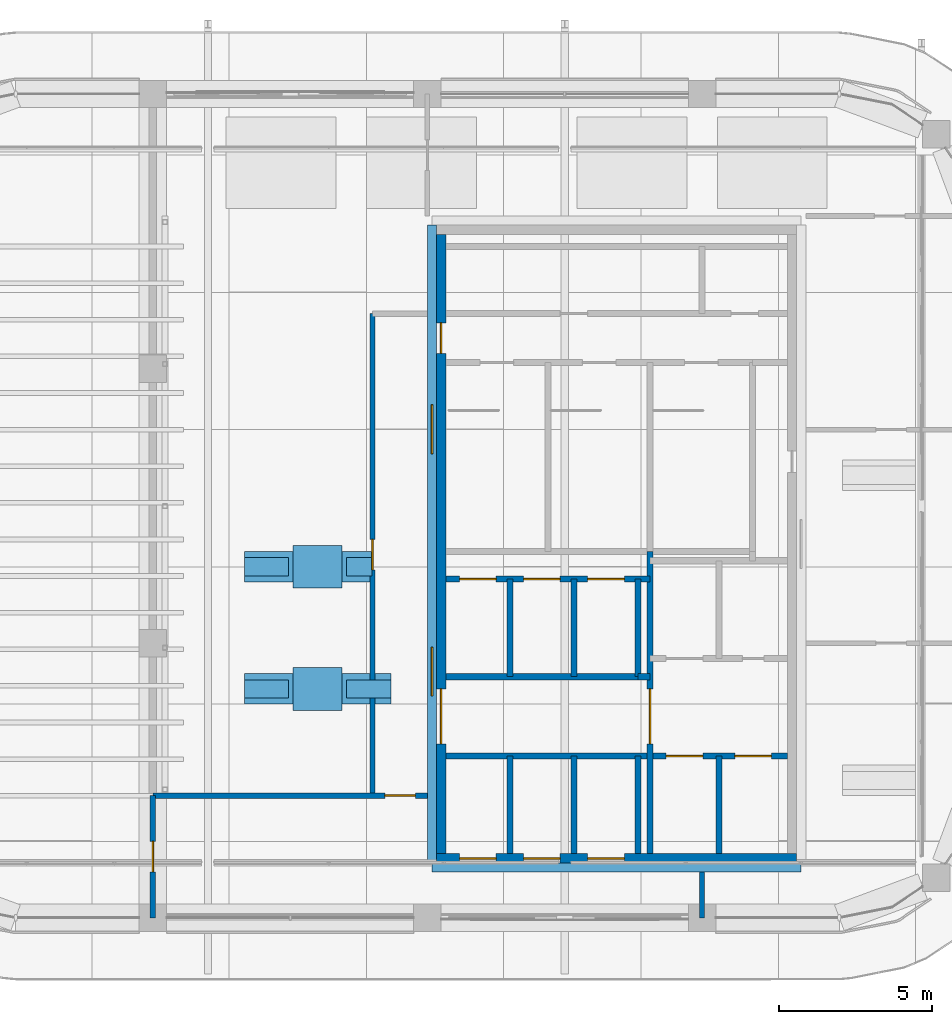
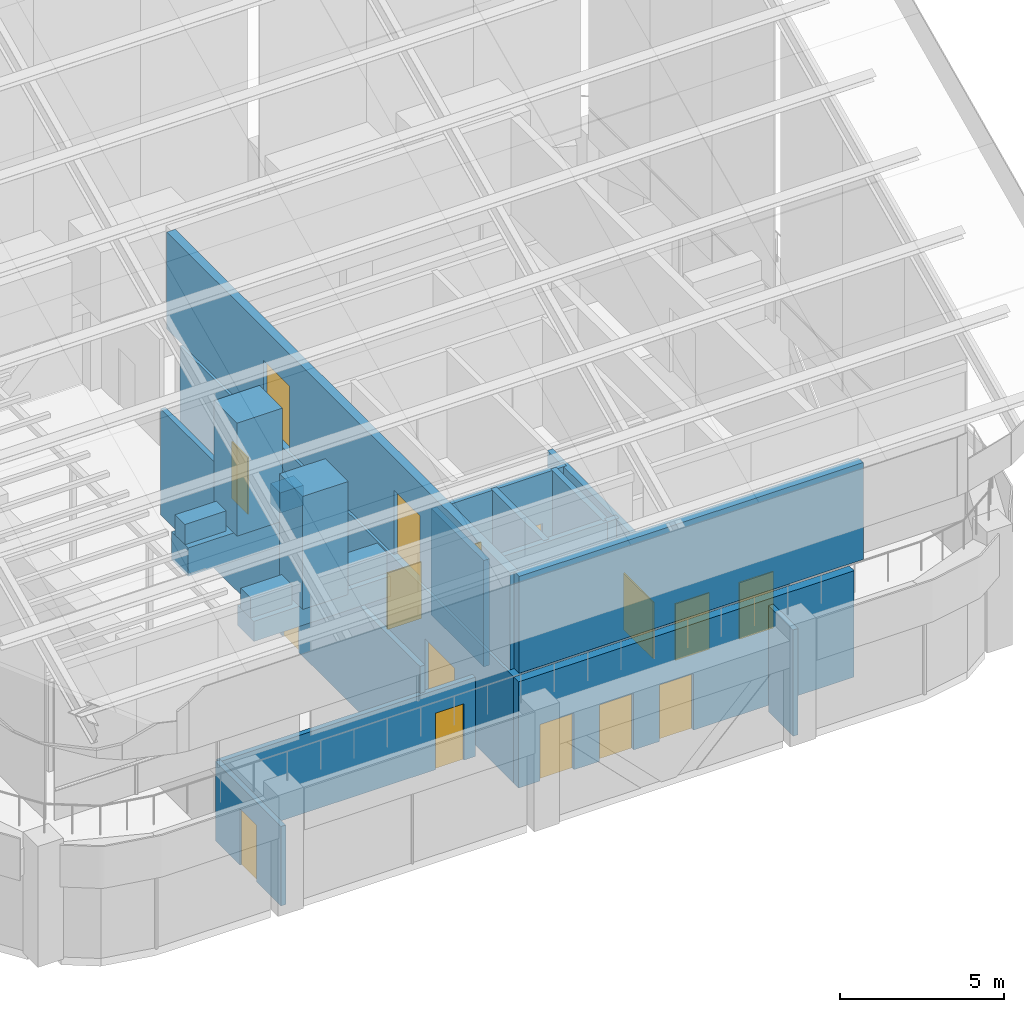
# One storey, part 26 of 31: 28 walls, 16 doors, 16 openings.
"""IFC4 building model written with IfcOpenShell, lengths in metres."""

from ifc_helpers import new_model, si_unit, direction, frame, frame_2d, origin, place, context, subcontext, project, spatial, rectangle, extrude, material, layer, layer_set, type_object, element, fill, save


model = new_model("IFC4")

# Units and contexts
model_context = context("Model", 3, precision=1e-05, world=origin(), true_north=direction((0.0, 1.0)))
body_context = subcontext(model_context, "Body", "Model", "MODEL_VIEW")
ifc_project = project(units=[si_unit("LENGTHUNIT", "METRE"), si_unit("AREAUNIT", "SQUARE_METRE"), si_unit("VOLUMEUNIT", "CUBIC_METRE"), si_unit("PLANEANGLEUNIT", "RADIAN"), si_unit("MASSUNIT", "GRAM", prefix="KILO")], contexts=[model_context])

# Site, building, storey
site_placement = place(None, origin())
site = spatial("IfcSite", under=ifc_project, at=site_placement, CompositionType="ELEMENT")
building_placement = place(site_placement, origin())
building = spatial("IfcBuilding", under=site, at=building_placement, Name="Tessera Arch", CompositionType="ELEMENT")
storey_placement = place(building_placement, frame((0.0, 0.0, 320.699951171875)))
storey = spatial("IfcBuildingStorey", under=building, at=storey_placement, Name="L77", CompositionType="ELEMENT", Elevation=320.699951171875)

# Wall
ifc_material_1 = material(Name="Gypsum board on steel stud", Category="steel")
ifc_layer_1 = layer(ifc_material_1, 0.125)
ifc_layer_set_1 = layer_set([ifc_layer_1], Name="Core partition 125 EI 60")
wall_type_1 = type_object("IfcWallType", Name="Core partition 125 EI 60", PredefinedType="PARTITIONING", material=ifc_layer_set_1)
wall_1_placement = place(storey_placement, frame((42.89990234375, 34.89990234375, 0.0), z_axis=(0.0, 0.0, 1.0), x_axis=(1.0, 0.0, 0.0)))
element("IfcWall", 1, at=wall_1_placement, inside=storey, type_object=wall_type_1, Name="L77 C1 partition wall 16", PredefinedType="PARTITIONING", context=body_context, shape_type="SweptSolid", body=[
    extrude(rectangle(XDim=0.400146484375, YDim=0.199951171875, at=frame_2d((0.2001953125, 0.0))), origin(), (0.0, 0.0, 1.0), 3.949951171875),
])

# Wall, openings, doors
ifc_material_2 = material(Name="Concrete C50/60", Category="concrete")
ifc_layer_2 = layer(ifc_material_2, 0.300048828125)
ifc_layer_set_2 = layer_set([ifc_layer_2], Name="Core shell wall 300 C50-60")
wall_type_2 = type_object("IfcWallType", Name="Core shell wall 300 C50-60", PredefinedType="SHEAR", material=ifc_layer_set_2)
wall_2_placement = place(storey_placement, frame((36.300048828125, 28.949951171875, 0.0), z_axis=(0.0, 0.0, 1.0), x_axis=(1.0, 0.0, 0.0)))
wall_2 = element("IfcWall", 2, at=wall_2_placement, inside=storey, type_object=wall_type_2, Name="L77 C1 core wall S", PredefinedType="SHEAR", context=body_context, shape_type="SweptSolid", body=[
    extrude(rectangle(XDim=11.800048828125, YDim=0.300048828125, at=frame_2d((5.89990234375, 0.0))), origin(), (0.0, 0.0, 1.0), 3.949951171875),
])
opening_1_placement = place(wall_2_placement, frame((0.75, 0.0, 0.0)))
opening_1 = element("IfcOpeningElement", 3, at=opening_1_placement, cuts=wall_2, Name="Opening L77-C01", PredefinedType="OPENING", context=body_context, shape_type="SweptSolid", body=[
    extrude(rectangle(XDim=1.199951171875, YDim=2.10009765625, at=frame_2d((0.60009765625, 1.050048828125))), frame((0.0, 0.159912109375, 0.0), z_axis=(0.0, -1.0, 0.0), x_axis=(1.0, 0.0, 0.0)), (0.0, 0.0, 1.0), 0.320068359375),
])
opening_2_placement = place(wall_2_placement, frame((2.85009765625, 0.0, 0.0)))
opening_2 = element("IfcOpeningElement", 4, at=opening_2_placement, cuts=wall_2, Name="Opening L77-C03", PredefinedType="OPENING", context=body_context, shape_type="SweptSolid", body=[
    extrude(rectangle(XDim=1.199951171875, YDim=2.10009765625, at=frame_2d((0.60009765625, 1.050048828125))), frame((0.0, 0.159912109375, 0.0), z_axis=(0.0, -1.0, 0.0), x_axis=(1.0, 0.0, 0.0)), (0.0, 0.0, 1.0), 0.320068359375),
])
opening_3_placement = place(wall_2_placement, frame((4.949951171875, 0.0, 0.0)))
opening_3 = element("IfcOpeningElement", 5, at=opening_3_placement, cuts=wall_2, Name="Opening L77-C05", PredefinedType="OPENING", context=body_context, shape_type="SweptSolid", body=[
    extrude(rectangle(XDim=1.199951171875, YDim=2.10009765625, at=frame_2d((0.60009765625, 1.050048828125))), frame((0.0, 0.159912109375, 0.0), z_axis=(0.0, -1.0, 0.0), x_axis=(1.0, 0.0, 0.0)), (0.0, 0.0, 1.0), 0.320068359375),
])
ifc_material_3 = material(Name="Stainless steel AISI 304", Category="steel")
door_type_1 = type_object("IfcDoorType", Name="Sliding landing door 1200 x 2100", OperationType="SLIDING_TO_LEFT", PredefinedType="DOOR", material=ifc_material_3)
door_1_placement = place(opening_1_placement, origin())
door_1 = element("IfcDoor", 6, at=door_1_placement, inside=storey, type_object=door_type_1, Name="L77 HR1 lift landing door C01 type LD", OperationType="SLIDING_TO_LEFT", OverallHeight=2.10009765625, OverallWidth=1.199951171875, PredefinedType="DOOR", context=body_context, shape_type="SweptSolid", body=[
    extrude(rectangle(XDim=1.199951171875, YDim=2.10009765625, at=frame_2d((0.60009765625, 1.050048828125))), frame((0.0, 0.02490234375, 0.0), z_axis=(0.0, -1.0, 0.0), x_axis=(1.0, 0.0, 0.0)), (0.0, 0.0, 1.0), 0.050048828125),
])
fill(opening_1, door_1)
door_2_placement = place(opening_2_placement, origin())
door_2 = element("IfcDoor", 7, at=door_2_placement, inside=storey, type_object=door_type_1, Name="L77 HR2 lift landing door C03 type LD", OperationType="SLIDING_TO_LEFT", OverallHeight=2.10009765625, OverallWidth=1.199951171875, PredefinedType="DOOR", context=body_context, shape_type="SweptSolid", body=[
    extrude(rectangle(XDim=1.199951171875, YDim=2.10009765625, at=frame_2d((0.60009765625, 1.050048828125))), frame((0.0, 0.02490234375, 0.0), z_axis=(0.0, -1.0, 0.0), x_axis=(1.0, 0.0, 0.0)), (0.0, 0.0, 1.0), 0.050048828125),
])
fill(opening_2, door_2)
door_3_placement = place(opening_3_placement, origin())
door_3 = element("IfcDoor", 8, at=door_3_placement, inside=storey, type_object=door_type_1, Name="L77 HR3 lift landing door C05 type LD", OperationType="SLIDING_TO_LEFT", OverallHeight=2.10009765625, OverallWidth=1.199951171875, PredefinedType="DOOR", context=body_context, shape_type="SweptSolid", body=[
    extrude(rectangle(XDim=1.199951171875, YDim=2.10009765625, at=frame_2d((0.60009765625, 1.050048828125))), frame((0.0, 0.02490234375, 0.0), z_axis=(0.0, -1.0, 0.0), x_axis=(1.0, 0.0, 0.0)), (0.0, 0.0, 1.0), 0.050048828125),
])
fill(opening_3, door_3)

wall_3_placement = place(storey_placement, frame((36.449951171875, 29.10009765625, 0.0), z_axis=(0.0, 0.0, 1.0), x_axis=(0.0, 1.0, 0.0)))
wall_3 = element("IfcWall", 9, at=wall_3_placement, inside=storey, type_object=wall_type_2, Name="L77 C1 core wall W", PredefinedType="SHEAR", context=body_context, shape_type="SweptSolid", body=[
    extrude(rectangle(XDim=20.2998046875, YDim=0.300048828125, at=frame_2d((10.14990234375, 0.0))), origin(), (0.0, 0.0, 1.0), 3.949951171875),
])
opening_4_placement = place(wall_3_placement, frame((3.60009765625, 0.0, 0.0)))
opening_4 = element("IfcOpeningElement", 10, at=opening_4_placement, cuts=wall_3, Name="Opening L77-C10", PredefinedType="OPENING", context=body_context, shape_type="SweptSolid", body=[
    extrude(rectangle(XDim=1.800048828125, YDim=2.10009765625, at=frame_2d((0.89990234375, 1.050048828125))), frame((0.0, 0.159912109375, 0.0), z_axis=(0.0, -1.0, 0.0), x_axis=(1.0, 0.0, 0.0)), (0.0, 0.0, 1.0), 0.320068359375),
])
opening_5_placement = place(wall_3_placement, frame((16.39990234375, 0.0, 0.0)))
opening_5 = element("IfcOpeningElement", 11, at=opening_5_placement, cuts=wall_3, Name="Opening L77-C17", PredefinedType="OPENING", context=body_context, shape_type="SweptSolid", body=[
    extrude(rectangle(XDim=1.0, YDim=2.10009765625, at=frame_2d((0.5, 1.050048828125))), frame((0.0, 0.159912109375, 0.0), z_axis=(0.0, -1.0, 0.0), x_axis=(1.0, 0.0, 0.0)), (0.0, 0.0, 1.0), 0.320068359375),
])
ifc_material_4 = material(Name="Steel door leaf", Category="steel")
door_type_2 = type_object("IfcDoorType", Name="Corridor door FD60 1000 x 2100", OperationType="SINGLE_SWING_LEFT", PredefinedType="DOOR", material=ifc_material_4)
door_4_placement = place(opening_5_placement, origin())
door_4 = element("IfcDoor", 12, at=door_4_placement, inside=storey, type_object=door_type_2, Name="L77 C1 door 17 C17 type D12", OperationType="SINGLE_SWING_RIGHT", OverallHeight=2.10009765625, OverallWidth=1.0, PredefinedType="DOOR", context=body_context, shape_type="SweptSolid", body=[
    extrude(rectangle(XDim=1.0, YDim=2.10009765625, at=frame_2d((0.5, 1.050048828125))), frame((0.0, 0.02490234375, 0.0), z_axis=(0.0, -1.0, 0.0), x_axis=(1.0, 0.0, 0.0)), (0.0, 0.0, 1.0), 0.050048828125),
])
fill(opening_5, door_4)
ifc_material_5 = material(Name="Glazed steel door leaf", Category="steel")
door_type_3 = type_object("IfcDoorType", Name="Lobby double door FD30S 1800 x 2100", OperationType="DOUBLE_DOOR_SINGLE_SWING", PredefinedType="DOOR", material=ifc_material_5)
door_5_placement = place(opening_4_placement, origin())
door_5 = element("IfcDoor", 13, at=door_5_placement, inside=storey, type_object=door_type_3, Name="L77 C1 door 10 C10 type D06", OperationType="DOUBLE_DOOR_SINGLE_SWING", OverallHeight=2.10009765625, OverallWidth=1.800048828125, PredefinedType="DOOR", context=body_context, shape_type="SweptSolid", body=[
    extrude(rectangle(XDim=1.800048828125, YDim=2.10009765625, at=frame_2d((0.89990234375, 1.050048828125))), frame((0.0, 0.02490234375, 0.0), z_axis=(0.0, -1.0, 0.0), x_axis=(1.0, 0.0, 0.0)), (0.0, 0.0, 1.0), 0.050048828125),
])
fill(opening_4, door_5)

# Wall, opening, door
ifc_material_6 = material(Name="Gypsum board on deep steel stud with mineral wool", Category="steel")
ifc_layer_3 = layer(ifc_material_6, 0.175048828125)
ifc_layer_set_3 = layer_set([ifc_layer_3], Name="Corridor wall 175 EI 60")
wall_type_3 = type_object("IfcWallType", Name="Corridor wall 175 EI 60", PredefinedType="PARTITIONING", material=ifc_layer_set_3)
wall_4_placement = place(storey_placement, frame((27.0, 31.0, 0.0), z_axis=(0.0, 0.0, 1.0), x_axis=(1.0, 0.0, 0.0)))
wall_4 = element("IfcWall", 14, at=wall_4_placement, inside=storey, type_object=wall_type_3, Name="L77 partition 1", PredefinedType="PARTITIONING", context=body_context, shape_type="SweptSolid", body=[
    extrude(rectangle(XDim=9.0, YDim=0.175048828125, at=frame_2d((4.5, 0.0))), origin(), (0.0, 0.0, 1.0), 2.949951171875),
])
opening_6_placement = place(wall_4_placement, frame((7.60009765625, 0.0, 0.0)))
opening_6 = element("IfcOpeningElement", 15, at=opening_6_placement, cuts=wall_4, Name="Opening L77-D001", PredefinedType="OPENING", context=body_context, shape_type="SweptSolid", body=[
    extrude(rectangle(XDim=1.0, YDim=2.10009765625, at=frame_2d((0.5, 1.050048828125))), frame((0.0, 0.097412109375, 0.0), z_axis=(0.0, -1.0, 0.0), x_axis=(1.0, 0.0, 0.0)), (0.0, 0.0, 1.0), 0.195068359375),
])
ifc_material_7 = material(Name="Fire-rated door leaf")
door_type_4 = type_object("IfcDoorType", Name="Entrance door FD30S 1000 x 2100", OperationType="SINGLE_SWING_LEFT", PredefinedType="DOOR", material=ifc_material_7)
door_6_placement = place(opening_6_placement, origin())
door_6 = element("IfcDoor", 16, at=door_6_placement, inside=storey, type_object=door_type_4, Name="L77 door D001 type D03", OperationType="SINGLE_SWING_RIGHT", OverallHeight=2.10009765625, OverallWidth=1.0, PredefinedType="DOOR", context=body_context, shape_type="SweptSolid", body=[
    extrude(rectangle(XDim=1.0, YDim=2.10009765625, at=frame_2d((0.5, 1.050048828125))), frame((0.0, 0.02490234375, 0.0), z_axis=(0.0, -1.0, 0.0), x_axis=(1.0, 0.0, 0.0)), (0.0, 0.0, 1.0), 0.050048828125),
])
fill(opening_6, door_6)

wall_5_placement = place(storey_placement, frame((27.0, 27.0, 0.0), z_axis=(0.0, 0.0, 1.0), x_axis=(0.0, 1.0, 0.0)))
wall_5 = element("IfcWall", 17, at=wall_5_placement, inside=storey, type_object=wall_type_3, Name="L77 partition 3", PredefinedType="PARTITIONING", context=body_context, shape_type="SweptSolid", body=[
    extrude(rectangle(XDim=4.0, YDim=0.175048828125, at=frame_2d((2.0, 0.0))), origin(), (0.0, 0.0, 1.0), 2.949951171875),
])
opening_7_placement = place(wall_5_placement, frame((1.5, 0.0, 0.0)))
opening_7 = element("IfcOpeningElement", 18, at=opening_7_placement, cuts=wall_5, Name="Opening L77-D007", PredefinedType="OPENING", context=body_context, shape_type="SweptSolid", body=[
    extrude(rectangle(XDim=1.0, YDim=2.10009765625, at=frame_2d((0.5, 1.050048828125))), frame((0.0, 0.097412109375, 0.0), z_axis=(0.0, -1.0, 0.0), x_axis=(1.0, 0.0, 0.0)), (0.0, 0.0, 1.0), 0.195068359375),
])
ifc_material_8 = material(Name="Fire-rated door leaf")
door_type_5 = type_object("IfcDoorType", Name="Entrance door FD60 1000 x 2100", OperationType="SINGLE_SWING_LEFT", PredefinedType="DOOR", material=ifc_material_8)
door_7_placement = place(opening_7_placement, origin())
door_7 = element("IfcDoor", 19, at=door_7_placement, inside=storey, type_object=door_type_5, Name="L77 door D007 type D16", OperationType="SINGLE_SWING_RIGHT", OverallHeight=2.10009765625, OverallWidth=1.0, PredefinedType="DOOR", context=body_context, shape_type="SweptSolid", body=[
    extrude(rectangle(XDim=1.0, YDim=2.10009765625, at=frame_2d((0.5, 1.050048828125))), frame((0.0, 0.02490234375, 0.0), z_axis=(0.0, -1.0, 0.0), x_axis=(1.0, 0.0, 0.0)), (0.0, 0.0, 1.0), 0.050048828125),
])
fill(opening_7, door_7)

wall_6_placement = place(storey_placement, frame((34.199951171875, 31.0, 0.0), z_axis=(0.0, 0.0, 1.0), x_axis=(0.0, 1.0, 0.0)))
wall_6 = element("IfcWall", 20, at=wall_6_placement, inside=storey, type_object=wall_type_3, Name="L77 partition 4", PredefinedType="PARTITIONING", context=body_context, shape_type="SweptSolid", body=[
    extrude(rectangle(XDim=15.800048828125, YDim=0.175048828125, at=frame_2d((7.89990234375, 0.0))), origin(), (0.0, 0.0, 1.0), 3.949951171875),
])
opening_8_placement = place(wall_6_placement, frame((7.39990234375, 0.0, 0.0)))
opening_8 = element("IfcOpeningElement", 21, at=opening_8_placement, cuts=wall_6, Name="Opening L77-D002", PredefinedType="OPENING", context=body_context, shape_type="SweptSolid", body=[
    extrude(rectangle(XDim=1.0, YDim=2.10009765625, at=frame_2d((0.5, 1.050048828125))), frame((0.0, 0.097412109375, 0.0), z_axis=(0.0, -1.0, 0.0), x_axis=(1.0, 0.0, 0.0)), (0.0, 0.0, 1.0), 0.195068359375),
])
door_8_placement = place(opening_8_placement, origin())
door_8 = element("IfcDoor", 22, at=door_8_placement, inside=storey, type_object=door_type_4, Name="L77 door D002 type D03", OperationType="SINGLE_SWING_RIGHT", OverallHeight=2.10009765625, OverallWidth=1.0, PredefinedType="DOOR", context=body_context, shape_type="SweptSolid", body=[
    extrude(rectangle(XDim=1.0, YDim=2.10009765625, at=frame_2d((0.5, 1.050048828125))), frame((0.0, 0.02490234375, 0.0), z_axis=(0.0, -1.0, 0.0), x_axis=(1.0, 0.0, 0.0)), (0.0, 0.0, 1.0), 0.050048828125),
])
fill(opening_8, door_8)

# Walls
wall_7_placement = place(storey_placement, frame((45.0, 27.0, 0.0), z_axis=(0.0, 0.0, 1.0), x_axis=(0.0, 1.0, 0.0)))
element("IfcWall", 23, at=wall_7_placement, inside=storey, type_object=wall_type_3, Name="L77 partition 5", PredefinedType="PARTITIONING", context=body_context, shape_type="SweptSolid", body=[
    extrude(rectangle(XDim=1.5, YDim=0.175048828125, at=frame_2d((0.75, 0.0))), origin(), (0.0, 0.0, 1.0), 3.949951171875),
])
ifc_material_9 = material(Name="Precast concrete C40/50", Category="concrete")
ifc_layer_4 = layer(ifc_material_9, 1.0)
ifc_layer_set_4 = layer_set([ifc_layer_4], Name="Planter bed 1000 wide")
wall_type_4 = type_object("IfcWallType", Name="Planter bed 1000 wide", PredefinedType="SOLIDWALL", material=ifc_layer_set_4)
wall_8_placement = place(storey_placement, frame((30.0, 34.5, 4.5), z_axis=(0.0, 0.0, 1.0), x_axis=(1.0, 0.0, 0.0)))
element("IfcWall", 24, at=wall_8_placement, inside=storey, type_object=wall_type_4, Name="PLANTER bed 1-1", PredefinedType="SOLIDWALL", context=body_context, shape_type="SweptSolid", body=[
    extrude(rectangle(XDim=4.800048828125, YDim=1.0, at=frame_2d((2.39990234375, 0.0))), origin(), (0.0, 0.0, 1.0), 0.75),
])
wall_9_placement = place(storey_placement, frame((30.0, 38.5, 4.5), z_axis=(0.0, 0.0, 1.0), x_axis=(1.0, 0.0, 0.0)))
element("IfcWall", 25, at=wall_9_placement, inside=storey, type_object=wall_type_4, Name="PLANTER bed 2-1", PredefinedType="SOLIDWALL", context=body_context, shape_type="SweptSolid", body=[
    extrude(rectangle(XDim=4.174560546875, YDim=1.0, at=frame_2d((2.08740234375, 0.0))), origin(), (0.0, 0.0, 1.0), 1.050048828125),
])
ifc_material_10 = material(Name="Precast concrete C40/50", Category="concrete")
ifc_layer_5 = layer(ifc_material_10, 1.39990234375)
ifc_layer_set_5 = layer_set([ifc_layer_5], Name="Planter bed 1400 wide")
wall_type_5 = type_object("IfcWallType", Name="Planter bed 1400 wide", PredefinedType="SOLIDWALL", material=ifc_layer_set_5)
for number, where, z_axis, x_axis, name in (
    (26, (31.60009765625, 34.5, 5.25), (0.0, 0.0, 1.0), (1.0, 0.0, 0.0), "Tree planting on bed bed 1-1 1"),
    (27, (31.60009765625, 38.5, 5.550048828125), (0.0, 0.0, 1.0), (1.0, 0.0, 0.0), "Tree planting on bed bed 2-1 1"),
):
    element("IfcWall", number, at=place(storey_placement, frame(where, z_axis=z_axis, x_axis=x_axis)), inside=storey, type_object=wall_type_5, Name=name, PredefinedType="SOLIDWALL", context=body_context, shape_type="SweptSolid", body=[
        extrude(rectangle(XDim=1.599853515625, YDim=1.39990234375, at=frame_2d((0.7998046875, 0.0))), origin(), (0.0, 0.0, 1.0), 4.199951171875),
    ])
ifc_material_11 = material(Name="Precast concrete C40/50", Category="concrete")
ifc_layer_6 = layer(ifc_material_11, 0.60009765625)
ifc_layer_set_6 = layer_set([ifc_layer_6], Name="Planter bed 600 wide")
wall_type_6 = type_object("IfcWallType", Name="Planter bed 600 wide", PredefinedType="SOLIDWALL", material=ifc_layer_set_6)
for number, where, z_axis, x_axis, name in (
    (28, (30.0, 34.5, 5.25), (0.0, 0.0, 1.0), (1.0, 0.0, 0.0), "PLANTER shrub mass on bed 1-1 1"),
    (29, (33.35009765625, 34.5, 5.25), (0.0, 0.0, 1.0), (1.0, 0.0, 0.0), "PLANTER shrub mass on bed 1-1 2"),
    (30, (30.0, 38.5, 5.550048828125), (0.0, 0.0, 1.0), (1.0, 0.0, 0.0), "PLANTER shrub mass on bed 2-1 1"),
):
    element("IfcWall", number, at=place(storey_placement, frame(where, z_axis=z_axis, x_axis=x_axis)), inside=storey, type_object=wall_type_6, Name=name, PredefinedType="SOLIDWALL", context=body_context, shape_type="SweptSolid", body=[
        extrude(rectangle(XDim=1.449951171875, YDim=0.60009765625, at=frame_2d((0.72509765625, 0.0))), origin(), (0.0, 0.0, 1.0), 0.75),
    ])
wall_10_placement = place(storey_placement, frame((33.35009765625, 38.5, 5.550048828125), z_axis=(0.0, 0.0, 1.0), x_axis=(1.0, 0.0, 0.0)))
element("IfcWall", 31, at=wall_10_placement, inside=storey, type_object=wall_type_6, Name="PLANTER shrub mass on bed 2-1 2", PredefinedType="SOLIDWALL", context=body_context, shape_type="SweptSolid", body=[
    extrude(rectangle(XDim=0.824462890625, YDim=0.60009765625, at=frame_2d((0.412109375, 0.0))), origin(), (0.0, 0.0, 1.0), 0.75),
])
ifc_material_12 = material(Name="Concrete C60/75", Category="concrete")
ifc_layer_7 = layer(ifc_material_12, 0.300048828125)
ifc_layer_set_7 = layer_set([ifc_layer_7], Name="Roof pavilion wall")
wall_type_7 = type_object("IfcWallType", Name="Roof pavilion wall", PredefinedType="SOLIDWALL", material=ifc_layer_set_7)
wall_11_placement = place(storey_placement, frame((36.14990234375, 28.64990234375, 4.5), z_axis=(0.0, 0.0, 1.0), x_axis=(1.0, 0.0, 0.0)))
element("IfcWall", 32, at=wall_11_placement, inside=storey, type_object=wall_type_7, Name="Roof pavilion wall S", PredefinedType="SOLIDWALL", context=body_context, shape_type="SweptSolid", body=[
    extrude(rectangle(XDim=12.10009765625, YDim=0.300048828125, at=frame_2d((6.050048828125, 0.0))), origin(), (0.0, 0.0, 1.0), 3.60009765625),
])

# Wall, openings, doors
wall_12_placement = place(storey_placement, frame((36.14990234375, 28.800048828125, 4.5), z_axis=(0.0, 0.0, 1.0), x_axis=(0.0, 1.0, 0.0)))
wall_12 = element("IfcWall", 33, at=wall_12_placement, inside=storey, type_object=wall_type_7, Name="Roof pavilion wall W", PredefinedType="SOLIDWALL", context=body_context, shape_type="SweptSolid", body=[
    extrude(rectangle(XDim=20.89990234375, YDim=0.300048828125, at=frame_2d((10.449951171875, 0.0))), origin(), (0.0, 0.0, 1.0), 3.60009765625),
])
opening_9_placement = place(wall_12_placement, frame((5.469970703125, 0.0, 0.0)))
opening_9 = element("IfcOpeningElement", 34, at=opening_9_placement, cuts=wall_12, Name="Opening L77-G01", PredefinedType="OPENING", context=body_context, shape_type="SweptSolid", body=[
    extrude(rectangle(XDim=1.60009765625, YDim=2.39990234375, at=frame_2d((0.800048828125, 1.199951171875))), frame((0.0, 0.159912109375, 0.0), z_axis=(0.0, -1.0, 0.0), x_axis=(1.0, 0.0, 0.0)), (0.0, 0.0, 1.0), 0.320068359375),
])
opening_10_placement = place(wall_12_placement, frame((13.412109375, 0.0, 0.0)))
opening_10 = element("IfcOpeningElement", 35, at=opening_10_placement, cuts=wall_12, Name="Opening L77-G02", PredefinedType="OPENING", context=body_context, shape_type="SweptSolid", body=[
    extrude(rectangle(XDim=1.60009765625, YDim=2.39990234375, at=frame_2d((0.800048828125, 1.199951171875))), frame((0.0, 0.159912109375, 0.0), z_axis=(0.0, -1.0, 0.0), x_axis=(1.0, 0.0, 0.0)), (0.0, 0.0, 1.0), 0.320068359375),
])
ifc_material_13 = material(Name="Aluminium frame and clear glass", Category="aluminium")
door_type_6 = type_object("IfcDoorType", Name="Roof garden door glazed double leaf", OperationType="DOUBLE_DOOR_SINGLE_SWING", PredefinedType="DOOR", material=ifc_material_13)
door_9_placement = place(opening_9_placement, origin())
door_9 = element("IfcDoor", 36, at=door_9_placement, inside=storey, type_object=door_type_6, Name="Roof garden door GD-W1 G01", OperationType="DOUBLE_DOOR_SINGLE_SWING", OverallHeight=2.39990234375, OverallWidth=1.60009765625, PredefinedType="DOOR", context=body_context, shape_type="SweptSolid", body=[
    extrude(rectangle(XDim=1.60009765625, YDim=2.39990234375, at=frame_2d((0.800048828125, 1.199951171875))), frame((0.0, 0.02490234375, 0.0), z_axis=(0.0, -1.0, 0.0), x_axis=(1.0, 0.0, 0.0)), (0.0, 0.0, 1.0), 0.050048828125),
])
fill(opening_9, door_9)
door_10_placement = place(opening_10_placement, origin())
door_10 = element("IfcDoor", 37, at=door_10_placement, inside=storey, type_object=door_type_6, Name="Roof garden door GD-W2 G02", OperationType="DOUBLE_DOOR_SINGLE_SWING", OverallHeight=2.39990234375, OverallWidth=1.60009765625, PredefinedType="DOOR", context=body_context, shape_type="SweptSolid", body=[
    extrude(rectangle(XDim=1.60009765625, YDim=2.39990234375, at=frame_2d((0.800048828125, 1.199951171875))), frame((0.0, 0.02490234375, 0.0), z_axis=(0.0, -1.0, 0.0), x_axis=(1.0, 0.0, 0.0)), (0.0, 0.0, 1.0), 0.050048828125),
])
fill(opening_10, door_10)

# Walls
ifc_material_14 = material(Name="Concrete C40/50", Category="concrete")
ifc_layer_8 = layer(ifc_material_14, 0.199951171875)
ifc_layer_set_8 = layer_set([ifc_layer_8], Name="Shaft wall 200 EI 120")
wall_type_8 = type_object("IfcWallType", Name="Shaft wall 200 EI 120", PredefinedType="SOLIDWALL", material=ifc_layer_set_8)
wall_13_placement = place(storey_placement, frame((38.699951171875, 29.10009765625, 0.0), z_axis=(0.0, 0.0, 1.0), x_axis=(0.0, 1.0, 0.0)))
element("IfcWall", 38, at=wall_13_placement, inside=storey, type_object=wall_type_8, Name="L77 C1 shaft wall 1", PredefinedType="SOLIDWALL", context=body_context, shape_type="SweptSolid", body=[
    extrude(rectangle(XDim=3.199951171875, YDim=0.199951171875, at=frame_2d((1.60009765625, 0.0))), origin(), (0.0, 0.0, 1.0), 3.949951171875),
])
wall_14_placement = place(storey_placement, frame((38.699951171875, 34.89990234375, 0.0), z_axis=(0.0, 0.0, 1.0), x_axis=(0.0, 1.0, 0.0)))
element("IfcWall", 39, at=wall_14_placement, inside=storey, type_object=wall_type_8, Name="L77 C1 shaft wall 2", PredefinedType="SOLIDWALL", context=body_context, shape_type="SweptSolid", body=[
    extrude(rectangle(XDim=3.2001953125, YDim=0.199951171875, at=frame_2d((1.60009765625, 0.0))), origin(), (0.0, 0.0, 1.0), 3.949951171875),
])
wall_15_placement = place(storey_placement, frame((40.800048828125, 29.10009765625, 0.0), z_axis=(0.0, 0.0, 1.0), x_axis=(0.0, 1.0, 0.0)))
element("IfcWall", 40, at=wall_15_placement, inside=storey, type_object=wall_type_8, Name="L77 C1 shaft wall 4", PredefinedType="SOLIDWALL", context=body_context, shape_type="SweptSolid", body=[
    extrude(rectangle(XDim=3.199951171875, YDim=0.199951171875, at=frame_2d((1.60009765625, 0.0))), origin(), (0.0, 0.0, 1.0), 3.949951171875),
])
wall_16_placement = place(storey_placement, frame((40.800048828125, 34.89990234375, 0.0), z_axis=(0.0, 0.0, 1.0), x_axis=(0.0, 1.0, 0.0)))
element("IfcWall", 41, at=wall_16_placement, inside=storey, type_object=wall_type_8, Name="L77 C1 shaft wall 5", PredefinedType="SOLIDWALL", context=body_context, shape_type="SweptSolid", body=[
    extrude(rectangle(XDim=3.2001953125, YDim=0.199951171875, at=frame_2d((1.60009765625, 0.0))), origin(), (0.0, 0.0, 1.0), 3.949951171875),
])
wall_17_placement = place(storey_placement, frame((42.89990234375, 29.10009765625, 0.0), z_axis=(0.0, 0.0, 1.0), x_axis=(0.0, 1.0, 0.0)))
element("IfcWall", 42, at=wall_17_placement, inside=storey, type_object=wall_type_8, Name="L77 C1 shaft wall 6", PredefinedType="SOLIDWALL", context=body_context, shape_type="SweptSolid", body=[
    extrude(rectangle(XDim=3.199951171875, YDim=0.199951171875, at=frame_2d((1.60009765625, 0.0))), origin(), (0.0, 0.0, 1.0), 3.949951171875),
])
wall_18_placement = place(storey_placement, frame((42.89990234375, 34.89990234375, 0.0), z_axis=(0.0, 0.0, 1.0), x_axis=(0.0, 1.0, 0.0)))
element("IfcWall", 43, at=wall_18_placement, inside=storey, type_object=wall_type_8, Name="L77 C1 shaft wall 7", PredefinedType="SOLIDWALL", context=body_context, shape_type="SweptSolid", body=[
    extrude(rectangle(XDim=3.2001953125, YDim=0.199951171875, at=frame_2d((1.60009765625, 0.0))), origin(), (0.0, 0.0, 1.0), 3.949951171875),
])

# Wall, opening, door
wall_19_placement = place(storey_placement, frame((43.300048828125, 29.10009765625, 0.0), z_axis=(0.0, 0.0, 1.0), x_axis=(0.0, 1.0, 0.0)))
wall_19 = element("IfcWall", 44, at=wall_19_placement, inside=storey, type_object=wall_type_8, Name="L77 C1 shaft wall 8", PredefinedType="SOLIDWALL", context=body_context, shape_type="SweptSolid", body=[
    extrude(rectangle(XDim=9.89990234375, YDim=0.199951171875, at=frame_2d((4.949951171875, 0.0))), origin(), (0.0, 0.0, 1.0), 3.949951171875),
])
opening_11_placement = place(wall_19_placement, frame((3.60009765625, 0.0, 0.0)))
opening_11 = element("IfcOpeningElement", 45, at=opening_11_placement, cuts=wall_19, Name="Opening L77-C15", PredefinedType="OPENING", context=body_context, shape_type="SweptSolid", body=[
    extrude(rectangle(XDim=1.800048828125, YDim=2.10009765625, at=frame_2d((0.89990234375, 1.050048828125))), frame((0.0, 0.10986328125, 0.0), z_axis=(0.0, -1.0, 0.0), x_axis=(1.0, 0.0, 0.0)), (0.0, 0.0, 1.0), 0.219970703125),
])
ifc_material_15 = material(Name="Glazed steel door leaf", Category="steel")
door_type_7 = type_object("IfcDoorType", Name="Lobby double door FD60 1800 x 2100", OperationType="DOUBLE_DOOR_SINGLE_SWING", PredefinedType="DOOR", material=ifc_material_15)
door_11_placement = place(opening_11_placement, origin())
door_11 = element("IfcDoor", 46, at=door_11_placement, inside=storey, type_object=door_type_7, Name="L77 C1 door 15 C15 type D19", OperationType="DOUBLE_DOOR_SINGLE_SWING", OverallHeight=2.10009765625, OverallWidth=1.800048828125, PredefinedType="DOOR", context=body_context, shape_type="SweptSolid", body=[
    extrude(rectangle(XDim=1.800048828125, YDim=2.10009765625, at=frame_2d((0.89990234375, 1.050048828125))), frame((0.0, 0.02490234375, 0.0), z_axis=(0.0, -1.0, 0.0), x_axis=(1.0, 0.0, 0.0)), (0.0, 0.0, 1.0), 0.050048828125),
])
fill(opening_11, door_11)

# Wall
wall_20_placement = place(storey_placement, frame((45.550048828125, 29.10009765625, 0.0), z_axis=(0.0, 0.0, 1.0), x_axis=(0.0, 1.0, 0.0)))
element("IfcWall", 47, at=wall_20_placement, inside=storey, type_object=wall_type_8, Name="L77 C1 shaft wall 11", PredefinedType="SOLIDWALL", context=body_context, shape_type="SweptSolid", body=[
    extrude(rectangle(XDim=3.199951171875, YDim=0.199951171875, at=frame_2d((1.60009765625, 0.0))), origin(), (0.0, 0.0, 1.0), 3.949951171875),
])

# Wall, openings, doors
wall_21_placement = place(storey_placement, frame((36.60009765625, 32.300048828125, 0.0), z_axis=(0.0, 0.0, 1.0), x_axis=(1.0, 0.0, 0.0)))
wall_21 = element("IfcWall", 48, at=wall_21_placement, inside=storey, type_object=wall_type_8, Name="L77 C1 shaft wall 15", PredefinedType="SOLIDWALL", context=body_context, shape_type="SweptSolid", body=[
    extrude(rectangle(XDim=11.199951171875, YDim=0.199951171875, at=frame_2d((5.60009765625, 0.0))), origin(), (0.0, 0.0, 1.0), 3.949951171875),
])
opening_12_placement = place(wall_21_placement, frame((7.22509765625, 0.0, 0.0)))
opening_12 = element("IfcOpeningElement", 49, at=opening_12_placement, cuts=wall_21, Name="Opening L77-C07", PredefinedType="OPENING", context=body_context, shape_type="SweptSolid", body=[
    extrude(rectangle(XDim=1.199951171875, YDim=2.10009765625, at=frame_2d((0.60009765625, 1.050048828125))), frame((0.0, 0.10986328125, 0.0), z_axis=(0.0, -1.0, 0.0), x_axis=(1.0, 0.0, 0.0)), (0.0, 0.0, 1.0), 0.219970703125),
])
opening_13_placement = place(wall_21_placement, frame((9.47509765625, 0.0, 0.0)))
opening_13 = element("IfcOpeningElement", 50, at=opening_13_placement, cuts=wall_21, Name="Opening L77-C08", PredefinedType="OPENING", context=body_context, shape_type="SweptSolid", body=[
    extrude(rectangle(XDim=1.199951171875, YDim=2.10009765625, at=frame_2d((0.60009765625, 1.050048828125))), frame((0.0, 0.10986328125, 0.0), z_axis=(0.0, -1.0, 0.0), x_axis=(1.0, 0.0, 0.0)), (0.0, 0.0, 1.0), 0.219970703125),
])
door_12_placement = place(opening_12_placement, origin())
door_12 = element("IfcDoor", 51, at=door_12_placement, inside=storey, type_object=door_type_1, Name="L77 FF1 lift landing door C07 type LD", OperationType="SLIDING_TO_LEFT", OverallHeight=2.10009765625, OverallWidth=1.199951171875, PredefinedType="DOOR", context=body_context, shape_type="SweptSolid", body=[
    extrude(rectangle(XDim=1.199951171875, YDim=2.10009765625, at=frame_2d((0.60009765625, 1.050048828125))), frame((0.0, 0.02490234375, 0.0), z_axis=(0.0, -1.0, 0.0), x_axis=(1.0, 0.0, 0.0)), (0.0, 0.0, 1.0), 0.050048828125),
])
fill(opening_12, door_12)
door_13_placement = place(opening_13_placement, origin())
door_13 = element("IfcDoor", 52, at=door_13_placement, inside=storey, type_object=door_type_1, Name="L77 FF2 lift landing door C08 type LD", OperationType="SLIDING_TO_LEFT", OverallHeight=2.10009765625, OverallWidth=1.199951171875, PredefinedType="DOOR", context=body_context, shape_type="SweptSolid", body=[
    extrude(rectangle(XDim=1.199951171875, YDim=2.10009765625, at=frame_2d((0.60009765625, 1.050048828125))), frame((0.0, 0.02490234375, 0.0), z_axis=(0.0, -1.0, 0.0), x_axis=(1.0, 0.0, 0.0)), (0.0, 0.0, 1.0), 0.050048828125),
])
fill(opening_13, door_13)

# Wall
wall_22_placement = place(storey_placement, frame((36.60009765625, 34.89990234375, 0.0), z_axis=(0.0, 0.0, 1.0), x_axis=(1.0, 0.0, 0.0)))
element("IfcWall", 53, at=wall_22_placement, inside=storey, type_object=wall_type_8, Name="L77 C1 shaft wall 17", PredefinedType="SOLIDWALL", context=body_context, shape_type="SweptSolid", body=[
    extrude(rectangle(XDim=6.2998046875, YDim=0.199951171875, at=frame_2d((3.14990234375, 0.0))), origin(), (0.0, 0.0, 1.0), 3.949951171875),
])

# Wall, openings, doors
wall_23_placement = place(storey_placement, frame((36.60009765625, 38.10009765625, 0.0), z_axis=(0.0, 0.0, 1.0), x_axis=(1.0, 0.0, 0.0)))
wall_23 = element("IfcWall", 54, at=wall_23_placement, inside=storey, type_object=wall_type_8, Name="L77 C1 shaft wall 19", PredefinedType="SOLIDWALL", context=body_context, shape_type="SweptSolid", body=[
    extrude(rectangle(XDim=6.699951171875, YDim=0.199951171875, at=frame_2d((3.35009765625, 0.0))), origin(), (0.0, 0.0, 1.0), 3.949951171875),
])
opening_14_placement = place(wall_23_placement, frame((0.449951171875, 0.0, 0.0)))
opening_14 = element("IfcOpeningElement", 55, at=opening_14_placement, cuts=wall_23, Name="Opening L77-C02", PredefinedType="OPENING", context=body_context, shape_type="SweptSolid", body=[
    extrude(rectangle(XDim=1.199951171875, YDim=2.10009765625, at=frame_2d((0.60009765625, 1.050048828125))), frame((0.0, 0.10986328125, 0.0), z_axis=(0.0, -1.0, 0.0), x_axis=(1.0, 0.0, 0.0)), (0.0, 0.0, 1.0), 0.219970703125),
])
opening_15_placement = place(wall_23_placement, frame((2.550048828125, 0.0, 0.0)))
opening_15 = element("IfcOpeningElement", 56, at=opening_15_placement, cuts=wall_23, Name="Opening L77-C04", PredefinedType="OPENING", context=body_context, shape_type="SweptSolid", body=[
    extrude(rectangle(XDim=1.199951171875, YDim=2.10009765625, at=frame_2d((0.60009765625, 1.050048828125))), frame((0.0, 0.10986328125, 0.0), z_axis=(0.0, -1.0, 0.0), x_axis=(1.0, 0.0, 0.0)), (0.0, 0.0, 1.0), 0.219970703125),
])
opening_16_placement = place(wall_23_placement, frame((4.64990234375, 0.0, 0.0)))
opening_16 = element("IfcOpeningElement", 57, at=opening_16_placement, cuts=wall_23, Name="Opening L77-C06", PredefinedType="OPENING", context=body_context, shape_type="SweptSolid", body=[
    extrude(rectangle(XDim=1.199951171875, YDim=2.10009765625, at=frame_2d((0.60009765625, 1.050048828125))), frame((0.0, 0.10986328125, 0.0), z_axis=(0.0, -1.0, 0.0), x_axis=(1.0, 0.0, 0.0)), (0.0, 0.0, 1.0), 0.219970703125),
])
door_14_placement = place(opening_14_placement, origin())
door_14 = element("IfcDoor", 58, at=door_14_placement, inside=storey, type_object=door_type_1, Name="L77 HR4 lift landing door C02 type LD", OperationType="SLIDING_TO_LEFT", OverallHeight=2.10009765625, OverallWidth=1.199951171875, PredefinedType="DOOR", context=body_context, shape_type="SweptSolid", body=[
    extrude(rectangle(XDim=1.199951171875, YDim=2.10009765625, at=frame_2d((0.60009765625, 1.050048828125))), frame((0.0, 0.02490234375, 0.0), z_axis=(0.0, -1.0, 0.0), x_axis=(1.0, 0.0, 0.0)), (0.0, 0.0, 1.0), 0.050048828125),
])
fill(opening_14, door_14)
door_15_placement = place(opening_15_placement, origin())
door_15 = element("IfcDoor", 59, at=door_15_placement, inside=storey, type_object=door_type_1, Name="L77 HR5 lift landing door C04 type LD", OperationType="SLIDING_TO_LEFT", OverallHeight=2.10009765625, OverallWidth=1.199951171875, PredefinedType="DOOR", context=body_context, shape_type="SweptSolid", body=[
    extrude(rectangle(XDim=1.199951171875, YDim=2.10009765625, at=frame_2d((0.60009765625, 1.050048828125))), frame((0.0, 0.02490234375, 0.0), z_axis=(0.0, -1.0, 0.0), x_axis=(1.0, 0.0, 0.0)), (0.0, 0.0, 1.0), 0.050048828125),
])
fill(opening_15, door_15)
door_16_placement = place(opening_16_placement, origin())
door_16 = element("IfcDoor", 60, at=door_16_placement, inside=storey, type_object=door_type_1, Name="L77 HR6 lift landing door C06 type LD", OperationType="SLIDING_TO_LEFT", OverallHeight=2.10009765625, OverallWidth=1.199951171875, PredefinedType="DOOR", context=body_context, shape_type="SweptSolid", body=[
    extrude(rectangle(XDim=1.199951171875, YDim=2.10009765625, at=frame_2d((0.60009765625, 1.050048828125))), frame((0.0, 0.02490234375, 0.0), z_axis=(0.0, -1.0, 0.0), x_axis=(1.0, 0.0, 0.0)), (0.0, 0.0, 1.0), 0.050048828125),
])
fill(opening_16, door_16)

save(model, "model.ifc")
